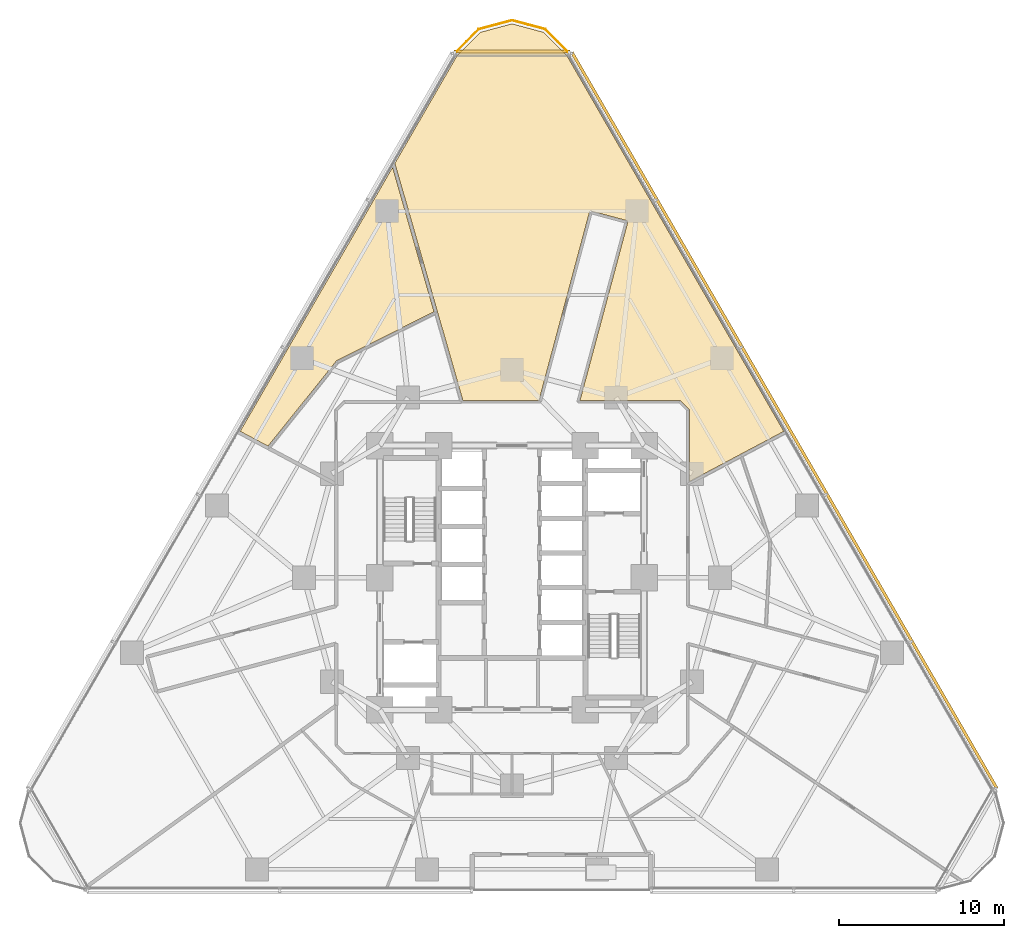
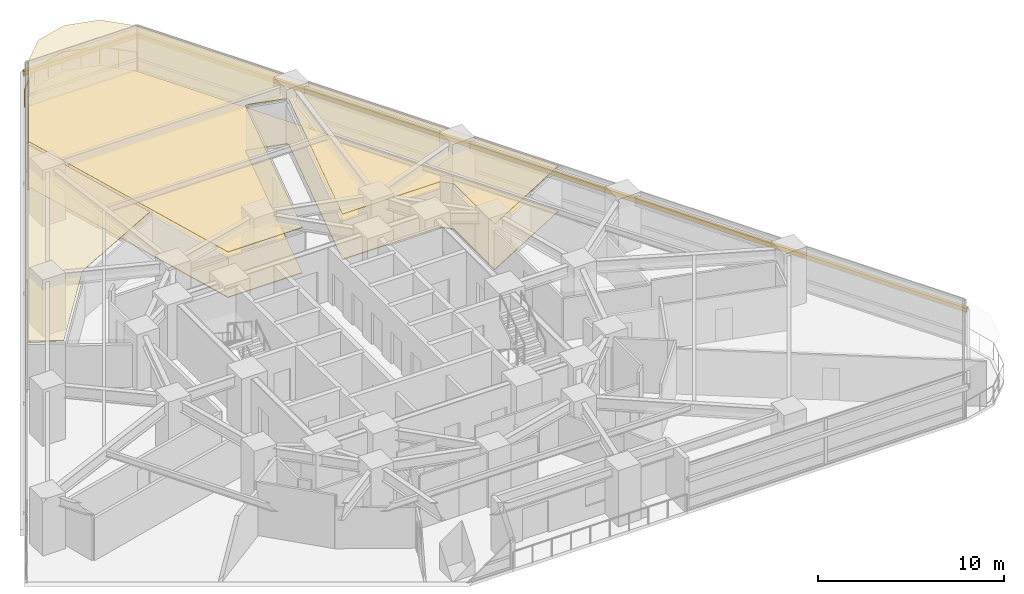
# One storey, part 16 of 16: 3 coverings, 2 shading devices, 1 railing.
"""IFC4 building model written with IfcOpenShell, lengths in metres."""

from ifc_helpers import new_model, si_unit, direction, frame, origin, origin_2d, place, context, subcontext, project, spatial, polyline, rectangle, circle, outline, extrude, material, layer, layer_set, type_object, element, save


model = new_model("IFC4")

# Units and contexts
model_context = context("Model", 3, precision=1e-05, world=origin(), true_north=direction((0.0, 1.0)))
body_context = subcontext(model_context, "Body", "Model", "MODEL_VIEW")
ifc_project = project(units=[si_unit("LENGTHUNIT", "METRE"), si_unit("AREAUNIT", "SQUARE_METRE"), si_unit("VOLUMEUNIT", "CUBIC_METRE"), si_unit("PLANEANGLEUNIT", "RADIAN"), si_unit("MASSUNIT", "GRAM", prefix="KILO")], contexts=[model_context])

# Site, building, storey
site_placement = place(None, origin())
site = spatial("IfcSite", under=ifc_project, at=site_placement, CompositionType="ELEMENT")
building_placement = place(site_placement, origin())
building = spatial("IfcBuilding", under=site, at=building_placement, Name="Terralouvre Media Tower", CompositionType="ELEMENT")
storey_placement = place(building_placement, frame((0.0, 0.0, 44.5)))
storey = spatial("IfcBuildingStorey", under=building, at=storey_placement, Name="L10", CompositionType="ELEMENT", Elevation=44.5)

# Coverings
ifc_material_1 = material(Name="Resilient elastomer acoustic broadcast studio flooring")
ifc_layer_1 = layer(ifc_material_1, 0.050048828125, Name="Broadcast Studio Acoustic Floating Floor FL-AC1")
ifc_layer_set_1 = layer_set([ifc_layer_1], Name="Resilient elastomer acoustic broadcast studio flooring")
covering_type_1 = type_object("IfcCoveringType", Name="Broadcast Studio Acoustic Floating Floor FL-AC1", PredefinedType="FLOORING", material=ifc_layer_set_1)
covering_1_placement = place(storey_placement, origin())
element("IfcCovering", 1, at=covering_1_placement, inside=storey, type_object=covering_type_1, Name="L10 Broadcast Floor Crew Room 1 Acoustic Floating Floor", PredefinedType="FLOORING", context=body_context, shape_type="SweptSolid", body=[
    extrude(outline(polyline([(-2.978515625, 10.75), (1.63818359375, 10.75), (4.6904296875, 22.140869140625), (4.693359375, 22.150146484375), (4.697265625, 22.1591796875), (4.7021484375, 22.167724609375), (4.707763671875, 22.17578125), (4.714111328125, 22.183349609375), (4.72119140625, 22.190185546875), (4.728759765625, 22.1962890625), (4.737060546875, 22.20166015625), (4.74560546875, 22.2060546875), (4.7548828125, 22.209716796875), (4.764404296875, 22.21240234375), (4.77392578125, 22.214111328125), (4.78369140625, 22.21484375), (4.793701171875, 22.21484375), (4.80322265625, 22.213623046875), (4.81298828125, 22.211669921875), (6.93798828125, 21.6416015625), (6.947265625, 21.638671875), (6.956298828125, 21.634765625), (6.96484375, 21.6298828125), (6.972900390625, 21.624267578125), (6.98046875, 21.617919921875), (6.9873046875, 21.61083984375), (6.993408203125, 21.603271484375), (6.99853515625, 21.594970703125), (7.003173828125, 21.586181640625), (7.006591796875, 21.5771484375), (7.009521484375, 21.567626953125), (7.010986328125, 21.55810546875), (7.011962890625, 21.54833984375), (7.01171875, 21.53857421875), (7.0107421875, 21.52880859375), (7.008544921875, 21.51904296875), (4.122314453125, 10.75), (10.14990234375, 10.75), (10.159912109375, 10.74951171875), (10.16943359375, 10.748046875), (10.178955078125, 10.74560546875), (10.188232421875, 10.742431640625), (10.197021484375, 10.73828125), (10.20556640625, 10.733154296875), (10.21337890625, 10.727294921875), (10.220703125, 10.720703125), (10.720703125, 10.220703125), (10.727294921875, 10.21337890625), (10.733154296875, 10.20556640625), (10.73828125, 10.197021484375), (10.742431640625, 10.188232421875), (10.74560546875, 10.178955078125), (10.748046875, 10.16943359375), (10.74951171875, 10.159912109375), (10.75, 10.14990234375), (10.75, 5.829345703125), (13.839111328125, 7.47119140625), (16.468505859375, 8.86962890625), (3.3310546875, 31.62353515625), (1.9111328125, 33.043212890625), (0.0, 33.555419921875), (-1.9111328125, 33.043212890625), (-3.3310546875, 31.62353515625), (-7.09521484375, 25.104736328125), (-4.510009765625, 16.090576171875), (-2.978515625, 10.75)])), origin(), (0.0, 0.0, 1.0), 0.050048828125),
])
ifc_material_2 = material(Name="Perforated aluminium acoustic ceiling baffle", Category="aluminium")
ifc_layer_2 = layer(ifc_material_2, 0.0400390625, Name="Perforated Acoustic Metal Tile Ceiling CL-AC1")
ifc_layer_set_2 = layer_set([ifc_layer_2], Name="Perforated aluminium acoustic ceiling baffle")
covering_type_2 = type_object("IfcCoveringType", Name="Perforated Acoustic Metal Tile Ceiling CL-AC1", PredefinedType="CEILING", material=ifc_layer_set_2)
covering_2_placement = place(storey_placement, frame((0.0, 0.0, 2.97998046875)))
element("IfcCovering", 2, at=covering_2_placement, inside=storey, type_object=covering_type_2, Name="L10 Broadcast Floor Crew Room 1 Acoustic Ceiling", PredefinedType="CEILING", context=body_context, shape_type="SweptSolid", body=[
    extrude(outline(polyline([(-2.978515625, 10.75), (1.63818359375, 10.75), (4.6904296875, 22.140869140625), (4.693359375, 22.150146484375), (4.697265625, 22.1591796875), (4.7021484375, 22.167724609375), (4.707763671875, 22.17578125), (4.714111328125, 22.183349609375), (4.72119140625, 22.190185546875), (4.728759765625, 22.1962890625), (4.737060546875, 22.20166015625), (4.74560546875, 22.2060546875), (4.7548828125, 22.209716796875), (4.764404296875, 22.21240234375), (4.77392578125, 22.214111328125), (4.78369140625, 22.21484375), (4.793701171875, 22.21484375), (4.80322265625, 22.213623046875), (4.81298828125, 22.211669921875), (6.93798828125, 21.6416015625), (6.947265625, 21.638671875), (6.956298828125, 21.634765625), (6.96484375, 21.6298828125), (6.972900390625, 21.624267578125), (6.98046875, 21.617919921875), (6.9873046875, 21.61083984375), (6.993408203125, 21.603271484375), (6.99853515625, 21.594970703125), (7.003173828125, 21.586181640625), (7.006591796875, 21.5771484375), (7.009521484375, 21.567626953125), (7.010986328125, 21.55810546875), (7.011962890625, 21.54833984375), (7.01171875, 21.53857421875), (7.0107421875, 21.52880859375), (7.008544921875, 21.51904296875), (4.122314453125, 10.75), (10.14990234375, 10.75), (10.159912109375, 10.74951171875), (10.16943359375, 10.748046875), (10.178955078125, 10.74560546875), (10.188232421875, 10.742431640625), (10.197021484375, 10.73828125), (10.20556640625, 10.733154296875), (10.21337890625, 10.727294921875), (10.220703125, 10.720703125), (10.720703125, 10.220703125), (10.727294921875, 10.21337890625), (10.733154296875, 10.20556640625), (10.73828125, 10.197021484375), (10.742431640625, 10.188232421875), (10.74560546875, 10.178955078125), (10.748046875, 10.16943359375), (10.74951171875, 10.159912109375), (10.75, 10.14990234375), (10.75, 5.829345703125), (13.839111328125, 7.47119140625), (16.468505859375, 8.86962890625), (3.3310546875, 31.62353515625), (1.9111328125, 33.043212890625), (0.0, 33.555419921875), (-1.9111328125, 33.043212890625), (-3.3310546875, 31.62353515625), (-7.09521484375, 25.104736328125), (-4.510009765625, 16.090576171875), (-2.978515625, 10.75)])), origin(), (0.0, 0.0, 1.0), 0.0400390625),
])
covering_3_placement = place(storey_placement, frame((0.0, 0.0, 2.97998046875)))
element("IfcCovering", 3, at=covering_3_placement, inside=storey, type_object=covering_type_2, Name="L10 Script Readout Seminar Room 11 Acoustic Ceiling", PredefinedType="CEILING", context=body_context, shape_type="SweptSolid", body=[
    extrude(outline(polyline([(-10.65087890625, 13.11865234375), (-10.643798828125, 13.126708984375), (-10.635986328125, 13.1337890625), (-10.627197265625, 13.139892578125), (-10.617919921875, 13.145263671875), (-4.72509765625, 16.114990234375), (-7.234130859375, 24.864013671875), (-16.468505859375, 8.86962890625), (-14.78125, 7.97216796875), (-10.65087890625, 13.11865234375)])), origin(), (0.0, 0.0, 1.0), 0.0400390625),
])

# Railing
ifc_material_3 = material(Name="Stainless steel 316 handrail and balustrade", Category="steel")
ifc_layer_3 = layer(ifc_material_3, 0.06005859375, Name="Roof Edge Safety Guardrail GR-ROOF1")
ifc_layer_set_3 = layer_set([ifc_layer_3], Name="Stainless steel 316 handrail and balustrade")
railing_type = type_object("IfcRailingType", Name="Roof Edge Safety Guardrail GR-ROOF1", PredefinedType="GUARDRAIL", material=ifc_layer_set_3)
railing_placement = place(storey_placement, frame((3.505859375, 31.74365234375, 0.0)))
element("IfcRailing", 4, at=railing_placement, inside=storey, type_object=railing_type, Name="L10 Wind-Corner Perimeter Safety Guardrail C2", PredefinedType="GUARDRAIL", context=body_context, shape_type="SweptSolid", body=[
    extrude(circle(Radius=0.02099609375, at=origin_2d()), frame((0.0, 0.0, 1.12890625), z_axis=(-0.706932035913, 0.707281483286, 0.0), x_axis=(-0.707281483286, -0.706932035913, 0.0)), (0.0, 0.0, 1.0), 2.095947265625),
    extrude(circle(Radius=0.02099609375, at=origin_2d()), frame((-1.481689453125, 1.482421875, 1.12890625), z_axis=(-0.965913206711, 0.258866137416, 0.0), x_axis=(-0.258866137416, -0.965913206711, 0.0)), (0.0, 0.0, 1.0), 2.095703125),
    extrude(circle(Radius=0.02099609375, at=origin_2d()), frame((-3.505859375, 2.02490234375, 1.12890625), z_axis=(-0.965913206711, -0.258866137416, 0.0), x_axis=(0.258866137416, -0.965913206711, 0.0)), (0.0, 0.0, 1.0), 2.095703125),
    extrude(circle(Radius=0.02099609375, at=origin_2d()), frame((-5.530029296875, 1.482421875, 1.12890625), z_axis=(-0.706932035913, -0.707281483286, 0.0), x_axis=(0.707281483286, -0.706932035913, 0.0)), (0.0, 0.0, 1.0), 2.095947265625),
    extrude(circle(Radius=0.01904296875, at=origin_2d()), origin(), (0.0, 0.0, 1.0), 1.10791015625),
    extrude(circle(Radius=0.01904296875, at=origin_2d()), frame((-0.74072265625, 0.7412109375, 0.0)), (0.0, 0.0, 1.0), 1.10791015625),
    extrude(circle(Radius=0.01904296875, at=origin_2d()), frame((-1.481689453125, 1.482421875, 0.0)), (0.0, 0.0, 1.0), 1.10791015625),
    extrude(circle(Radius=0.01904296875, at=origin_2d()), frame((-2.49365234375, 1.753662109375, 0.0)), (0.0, 0.0, 1.0), 1.10791015625),
    extrude(circle(Radius=0.01904296875, at=origin_2d()), frame((-3.505859375, 2.02490234375, 0.0)), (0.0, 0.0, 1.0), 1.10791015625),
    extrude(circle(Radius=0.01904296875, at=origin_2d()), frame((-4.51806640625, 1.753662109375, 0.0)), (0.0, 0.0, 1.0), 1.10791015625),
    extrude(circle(Radius=0.01904296875, at=origin_2d()), frame((-5.530029296875, 1.482421875, 0.0)), (0.0, 0.0, 1.0), 1.10791015625),
    extrude(circle(Radius=0.01904296875, at=origin_2d()), frame((-6.27099609375, 0.7412109375, 0.0)), (0.0, 0.0, 1.0), 1.10791015625),
    extrude(circle(Radius=0.01904296875, at=origin_2d()), frame((-7.01171875, 0.0, 0.0)), (0.0, 0.0, 1.0), 1.10791015625),
])

# Shading devices
ifc_material_4 = material(Name="Extruded terracotta baguette sunshade louvres", Category="masonry")
shading_device_type = type_object("IfcShadingDeviceType", Name="Terracotta Baguette Sunshade Louvre Screen TB-LV1", PredefinedType="USERDEFINED", material=ifc_material_4)
shading_device_1_placement = place(storey_placement, frame((16.503662109375, 9.5283203125, 2.02392578125), z_axis=(0.0, 0.0, 1.0), x_axis=(-0.499999985671, 0.866025412057, 0.0)))
element("IfcShadingDevice", 5, at=shading_device_1_placement, inside=storey, type_object=shading_device_type, Name="CW-L10-F1 Terracotta Baguette Sunshade Louvre", ObjectType="BAGUETTE", PredefinedType="USERDEFINED", context=body_context, shape_type="SweptSolid", body=[
    extrude(rectangle(XDim=51.5, YDim=0.179931640625, at=origin_2d()), origin(), (0.0, 0.0, 1.0), 0.280029296875),
])
shading_device_2_placement = place(storey_placement, frame((0.0, 31.87841796875, 2.02392578125), z_axis=(0.0, 0.0, 1.0), x_axis=(-1.0, 0.0, 0.0)))
element("IfcShadingDevice", 6, at=shading_device_2_placement, inside=storey, type_object=shading_device_type, Name="CW-L10-C2 Terracotta Baguette Sunshade Louvre", ObjectType="BAGUETTE", PredefinedType="USERDEFINED", context=body_context, shape_type="SweptSolid", body=[
    extrude(rectangle(XDim=7.014892578125, YDim=0.179931640625, at=origin_2d()), origin(), (0.0, 0.0, 1.0), 0.280029296875),
])

save(model, "model.ifc")
